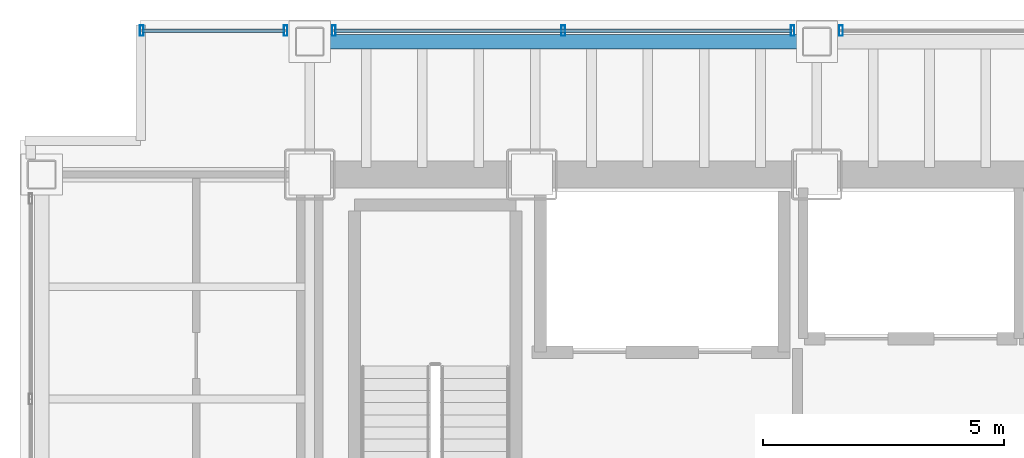
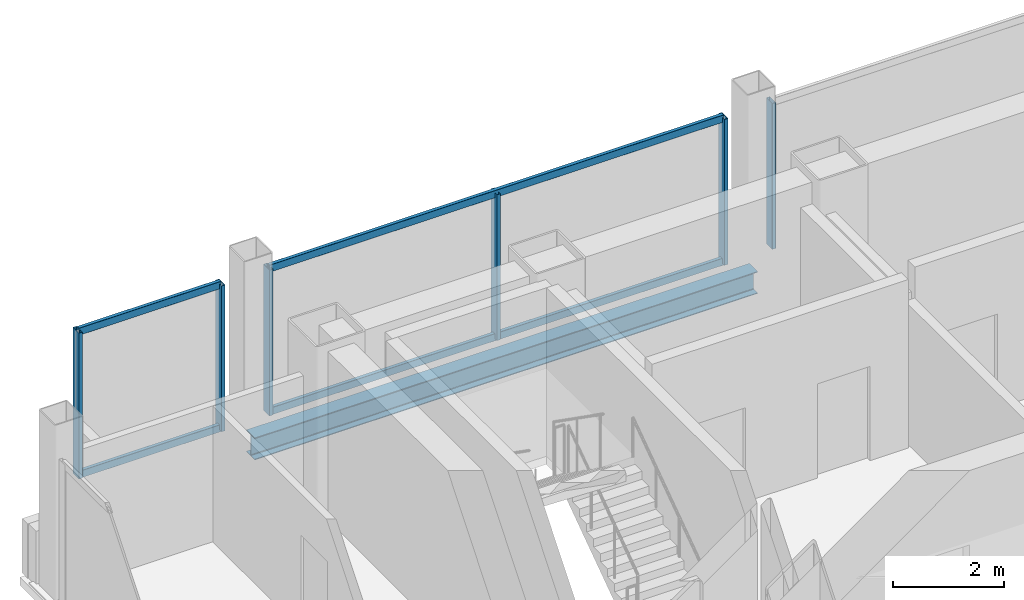
# One storey, part 14 of 22: 10 members, 1 beam, 3 elements without a shape of their own.
"""IFC4 building model written with IfcOpenShell, lengths in metres."""

from ifc_helpers import new_model, si_unit, direction, frame, origin, origin_2d, place, context, subcontext, project, spatial, hollow_rectangle, i_section, extrude, material, material_profile, profile_set, type_object, element, aggregate, save


model = new_model("IFC4")

# Units and contexts
model_context = context("Model", 3, precision=1e-05, world=origin(), true_north=direction((0.0, 1.0)))
body_context = subcontext(model_context, "Body", "Model", "MODEL_VIEW")
ifc_project = project(units=[si_unit("LENGTHUNIT", "METRE"), si_unit("AREAUNIT", "SQUARE_METRE"), si_unit("VOLUMEUNIT", "CUBIC_METRE"), si_unit("PLANEANGLEUNIT", "RADIAN"), si_unit("MASSUNIT", "GRAM", prefix="KILO")], contexts=[model_context])

# Site, building, storey
site_placement = place(None, origin())
site = spatial("IfcSite", under=ifc_project, at=site_placement, CompositionType="ELEMENT")
building_placement = place(site_placement, origin())
building = spatial("IfcBuilding", under=site, at=building_placement, Name="Noeulbin Bourse Tower", CompositionType="ELEMENT")
storey_placement = place(building_placement, frame((0.0, 0.0, 85.0)))
storey = spatial("IfcBuildingStorey", under=building, at=storey_placement, Name="L21", CompositionType="ELEMENT", Elevation=85.0)

# Beam
ifc_material_1 = material(Name="Steel S355", Category="steel")
ifc_material_profile_1 = material_profile(ifc_material_1, i_section(OverallWidth=0.300048828125, OverallDepth=0.488037109375, WebThickness=0.010986328125, FlangeThickness=0.01806640625, FilletRadius=0.02197265625, at=origin_2d()), Name="H-488x300x11x18", Category="LoadBearing")
ifc_profile_set_1 = profile_set([ifc_material_profile_1], Name="Steel S355")
beam_type = type_object("IfcBeamType", Name="BM-SPN-488", PredefinedType="SPANDREL", material=ifc_profile_set_1)
beam_placement = place(storey_placement, frame((13.5, 41.050048828125, -0.424072265625), z_axis=(1.0, 0.0, 0.0), x_axis=(0.0, 1.0, 0.0)))
element("IfcBeam", 1, at=beam_placement, inside=storey, type_object=beam_type, Name="North Spandrel L21-1", PredefinedType="SPANDREL", context=body_context, shape_type="SweptSolid", body=[
    extrude(i_section(OverallWidth=0.300048828125, OverallDepth=0.488037109375, WebThickness=0.010986328125, FlangeThickness=0.01806640625, FilletRadius=0.02197265625, at=origin_2d()), origin(), (0.0, 0.0, 1.0), 10.5),
])

# Curtain wall, members
ifc_material_2 = material(Name="Dark Solar-Control Double Glazing", Category="glass")
curtain_wall_type = type_object("IfcCurtainWallType", Name="CW-SYS-2", PredefinedType="NOTDEFINED", material=ifc_material_2)
curtain_wall_1_placement = place(storey_placement, origin())
curtain_wall_1 = element("IfcCurtainWall", 2, at=curtain_wall_1_placement, inside=storey, type_object=curtain_wall_type, Name="Unitised Curtain Wall CW-L21-N-S1", PredefinedType="NOTDEFINED")
ifc_material_3 = material(Name="Anodised Aluminium 6063-T6", Category="aluminium")
ifc_material_profile_2 = material_profile(ifc_material_3, hollow_rectangle(XDim=0.074951171875, YDim=0.219970703125, WallThickness=0.0048828125, InnerFilletRadius=0.00244140625, OuterFilletRadius=0.0048828125, at=origin_2d()), Name="ALU-MULL-75x220x5", Category="LoadBearing")
ifc_profile_set_2 = profile_set([ifc_material_profile_2], Name="Anodised Aluminium 6063-T6")
member_type_1 = type_object("IfcMemberType", Name="CW-SYS-2-MUL", PredefinedType="MULLION", material=ifc_profile_set_2)
member_1_placement = place(storey_placement, frame((10.02001953125, 41.280029296875, -0.02001953125), z_axis=(0.0, 0.0, 1.0), x_axis=(1.0, 0.0, 0.0)))
member_1 = element("IfcMember", 3, at=member_1_placement, type_object=member_type_1, Name="Curtain Wall Mullion CW-L21-N-S1-M00", PredefinedType="MULLION", context=body_context, shape_type="SweptSolid", body=[
    extrude(hollow_rectangle(XDim=0.074951171875, YDim=0.219970703125, WallThickness=0.0048828125, InnerFilletRadius=0.00244140625, OuterFilletRadius=0.0048828125, at=origin_2d()), origin(), (0.0, 0.0, 1.0), 3.219970703125),
])
member_2_placement = place(storey_placement, frame((13.0, 41.280029296875, -0.02001953125), z_axis=(0.0, 0.0, 1.0), x_axis=(1.0, 0.0, 0.0)))
member_2 = element("IfcMember", 4, at=member_2_placement, type_object=member_type_1, Name="Curtain Wall Mullion CW-L21-N-S1-M01", PredefinedType="MULLION", context=body_context, shape_type="SweptSolid", body=[
    extrude(hollow_rectangle(XDim=0.074951171875, YDim=0.219970703125, WallThickness=0.0048828125, InnerFilletRadius=0.00244140625, OuterFilletRadius=0.0048828125, at=origin_2d()), origin(), (0.0, 0.0, 1.0), 3.219970703125),
])

curtain_wall_2_placement = place(storey_placement, origin())
curtain_wall_2 = element("IfcCurtainWall", 5, at=curtain_wall_2_placement, inside=storey, type_object=curtain_wall_type, Name="Unitised Curtain Wall CW-L21-N-S2", PredefinedType="NOTDEFINED")
member_3_placement = place(storey_placement, frame((14.0, 41.280029296875, -0.02001953125), z_axis=(0.0, 0.0, 1.0), x_axis=(1.0, 0.0, 0.0)))
member_3 = element("IfcMember", 6, at=member_3_placement, type_object=member_type_1, Name="Curtain Wall Mullion CW-L21-N-S2-M00", PredefinedType="MULLION", context=body_context, shape_type="SweptSolid", body=[
    extrude(hollow_rectangle(XDim=0.074951171875, YDim=0.219970703125, WallThickness=0.0048828125, InnerFilletRadius=0.00244140625, OuterFilletRadius=0.0048828125, at=origin_2d()), origin(), (0.0, 0.0, 1.0), 3.219970703125),
])
member_4_placement = place(storey_placement, frame((18.75, 41.280029296875, -0.02001953125), z_axis=(0.0, 0.0, 1.0), x_axis=(1.0, 0.0, 0.0)))
member_4 = element("IfcMember", 7, at=member_4_placement, type_object=member_type_1, Name="Curtain Wall Mullion CW-L21-N-S2-M01", PredefinedType="MULLION", context=body_context, shape_type="SweptSolid", body=[
    extrude(hollow_rectangle(XDim=0.074951171875, YDim=0.219970703125, WallThickness=0.0048828125, InnerFilletRadius=0.00244140625, OuterFilletRadius=0.0048828125, at=origin_2d()), origin(), (0.0, 0.0, 1.0), 3.219970703125),
])
member_5_placement = place(storey_placement, frame((23.5, 41.280029296875, -0.02001953125), z_axis=(0.0, 0.0, 1.0), x_axis=(1.0, 0.0, 0.0)))
member_5 = element("IfcMember", 8, at=member_5_placement, type_object=member_type_1, Name="Curtain Wall Mullion CW-L21-N-S2-M02", PredefinedType="MULLION", context=body_context, shape_type="SweptSolid", body=[
    extrude(hollow_rectangle(XDim=0.074951171875, YDim=0.219970703125, WallThickness=0.0048828125, InnerFilletRadius=0.00244140625, OuterFilletRadius=0.0048828125, at=origin_2d()), origin(), (0.0, 0.0, 1.0), 3.219970703125),
])

# Curtain wall, member
curtain_wall_3_placement = place(storey_placement, origin())
curtain_wall_3 = element("IfcCurtainWall", 9, at=curtain_wall_3_placement, inside=storey, type_object=curtain_wall_type, Name="Unitised Curtain Wall CW-L21-N-S3", PredefinedType="NOTDEFINED")
member_6_placement = place(storey_placement, frame((24.5, 41.280029296875, -0.02001953125), z_axis=(0.0, 0.0, 1.0), x_axis=(1.0, 0.0, 0.0)))
member_6 = element("IfcMember", 10, at=member_6_placement, type_object=member_type_1, Name="Curtain Wall Mullion CW-L21-N-S3-M00", PredefinedType="MULLION", context=body_context, shape_type="SweptSolid", body=[
    extrude(hollow_rectangle(XDim=0.074951171875, YDim=0.219970703125, WallThickness=0.0048828125, InnerFilletRadius=0.00244140625, OuterFilletRadius=0.0048828125, at=origin_2d()), origin(), (0.0, 0.0, 1.0), 3.219970703125),
])
aggregate(curtain_wall_3, [member_6])

# Member
ifc_material_profile_3 = material_profile(ifc_material_3, hollow_rectangle(XDim=0.074951171875, YDim=0.159912109375, WallThickness=0.0048828125, InnerFilletRadius=0.00244140625, OuterFilletRadius=0.0048828125, at=origin_2d()), Name="ALU-TRAN-75x160x5", Category="LoadBearing")
ifc_profile_set_3 = profile_set([ifc_material_profile_3], Name="Anodised Aluminium 6063-T6")
member_type_2 = type_object("IfcMemberType", Name="CW-SYS-2-TRN", PredefinedType="USERDEFINED", material=ifc_profile_set_3)
member_7_placement = place(storey_placement, frame((10.030029296875, 41.280029296875, 0.010009765625), z_axis=(1.0, 0.0, 0.0), x_axis=(0.0, 1.0, 0.0)))
member_7 = element("IfcMember", 11, at=member_7_placement, type_object=member_type_2, Name="Curtain Wall Transom CW-L21-N-S1-T00", ObjectType="TRANSOM", PredefinedType="USERDEFINED", context=body_context, shape_type="SweptSolid", body=[
    extrude(hollow_rectangle(XDim=0.074951171875, YDim=0.159912109375, WallThickness=0.0048828125, InnerFilletRadius=0.00244140625, OuterFilletRadius=0.0048828125, at=origin_2d()), origin(), (0.0, 0.0, 1.0), 2.9599609375),
])

member_8_placement = place(storey_placement, frame((10.030029296875, 41.280029296875, 3.169921875), z_axis=(1.0, 0.0, 0.0), x_axis=(0.0, 1.0, 0.0)))
member_8 = element("IfcMember", 12, at=member_8_placement, type_object=member_type_2, Name="Curtain Wall Transom CW-L21-N-S1-T01", ObjectType="TRANSOM", PredefinedType="USERDEFINED", context=body_context, shape_type="SweptSolid", body=[
    extrude(hollow_rectangle(XDim=0.074951171875, YDim=0.159912109375, WallThickness=0.0048828125, InnerFilletRadius=0.00244140625, OuterFilletRadius=0.0048828125, at=origin_2d()), origin(), (0.0, 0.0, 1.0), 2.9599609375),
])

aggregate(curtain_wall_1, [member_1, member_2, member_7, member_8])

member_9_placement = place(storey_placement, frame((14.010009765625, 41.280029296875, 0.010009765625), z_axis=(1.0, 0.0, 0.0), x_axis=(0.0, 1.0, 0.0)))
member_9 = element("IfcMember", 13, at=member_9_placement, type_object=member_type_2, Name="Curtain Wall Transom CW-L21-N-S2-T00", ObjectType="TRANSOM", PredefinedType="USERDEFINED", context=body_context, shape_type="SweptSolid", body=[
    extrude(hollow_rectangle(XDim=0.074951171875, YDim=0.159912109375, WallThickness=0.0048828125, InnerFilletRadius=0.00244140625, OuterFilletRadius=0.0048828125, at=origin_2d()), origin(), (0.0, 0.0, 1.0), 9.47998046875),
])

member_10_placement = place(storey_placement, frame((14.010009765625, 41.280029296875, 3.169921875), z_axis=(1.0, 0.0, 0.0), x_axis=(0.0, 1.0, 0.0)))
member_10 = element("IfcMember", 14, at=member_10_placement, type_object=member_type_2, Name="Curtain Wall Transom CW-L21-N-S2-T01", ObjectType="TRANSOM", PredefinedType="USERDEFINED", context=body_context, shape_type="SweptSolid", body=[
    extrude(hollow_rectangle(XDim=0.074951171875, YDim=0.159912109375, WallThickness=0.0048828125, InnerFilletRadius=0.00244140625, OuterFilletRadius=0.0048828125, at=origin_2d()), origin(), (0.0, 0.0, 1.0), 9.47998046875),
])

aggregate(curtain_wall_2, [member_3, member_4, member_5, member_9, member_10])

save(model, "model.ifc")
